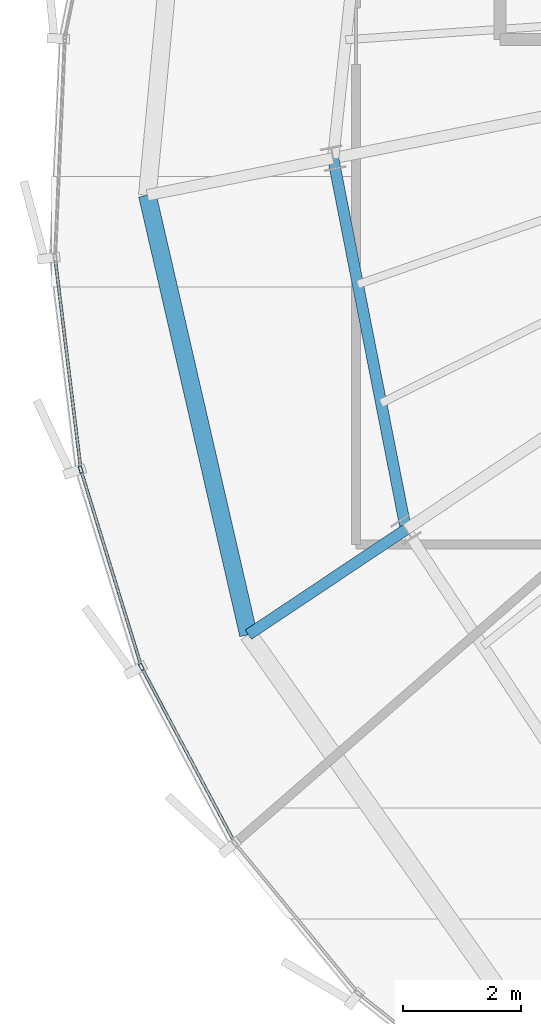
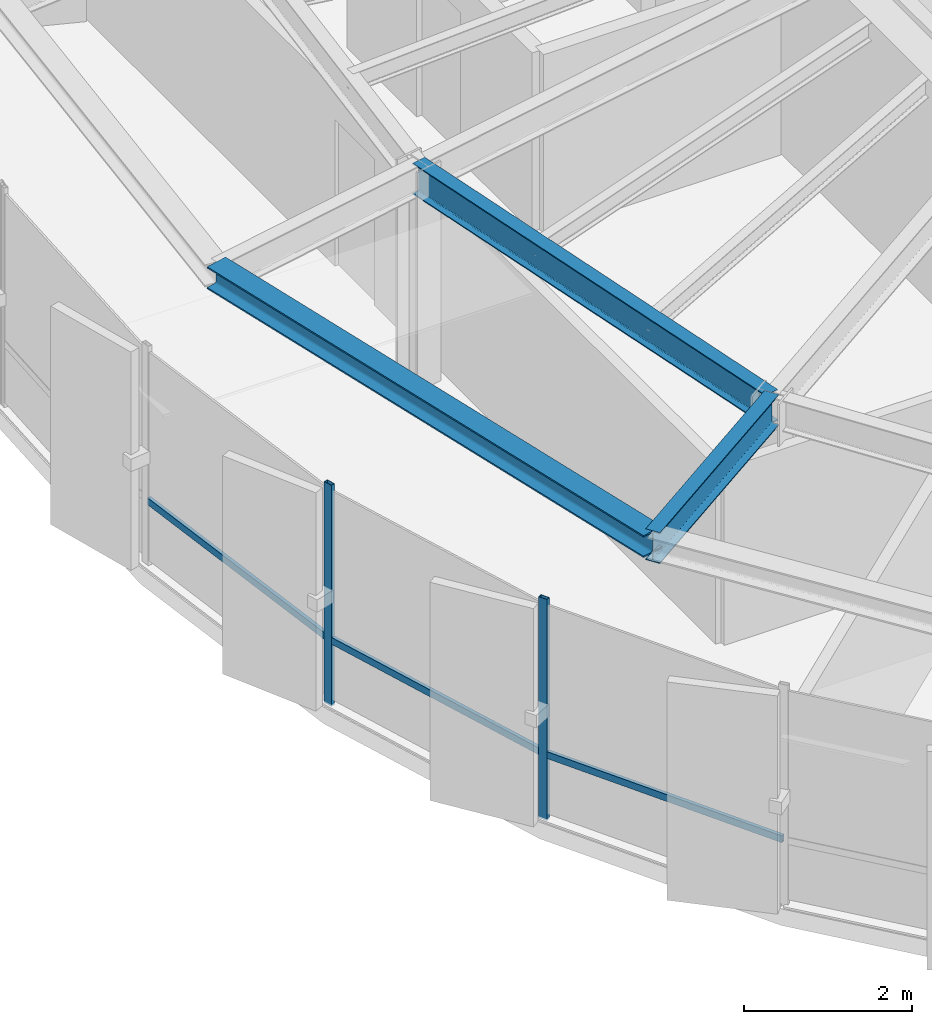
# One storey, part 4 of 33: 5 members, 3 beams, 1 element without a shape of its own.
"""IFC4 building model written with IfcOpenShell, lengths in metres."""

from ifc_helpers import new_model, si_unit, direction, frame, origin, origin_2d, place, context, subcontext, project, spatial, hollow_rectangle, i_section, extrude, source, transform, mapped, material, layer, layer_set, material_profile, profile_set, type_object, element, aggregate, save


model = new_model("IFC4")

# Units and contexts
model_context = context("Model", 3, precision=1e-05, world=origin(), true_north=direction((0.0, 1.0)))
body_context = subcontext(model_context, "Body", "Model", "MODEL_VIEW")
ifc_project = project(units=[si_unit("LENGTHUNIT", "METRE"), si_unit("AREAUNIT", "SQUARE_METRE"), si_unit("VOLUMEUNIT", "CUBIC_METRE"), si_unit("PLANEANGLEUNIT", "RADIAN"), si_unit("MASSUNIT", "GRAM", prefix="KILO"), si_unit("THERMODYNAMICTEMPERATUREUNIT", "KELVIN")], contexts=[model_context])

# Site, building, storey
site_placement = place(None, origin())
site = spatial("IfcSite", under=ifc_project, at=site_placement, CompositionType="ELEMENT")
building_placement = place(site_placement, origin())
building = spatial("IfcBuilding", under=site, at=building_placement, Name="Kethvar Cultural Tower", CompositionType="ELEMENT")
storey_placement = place(building_placement, frame((0.0, 0.0, 266.35009765625)))
storey = spatial("IfcBuildingStorey", under=building, at=storey_placement, Name="L70", CompositionType="ELEMENT", Elevation=266.35009765625)

# Beams
ifc_material_1 = material(Name="Steel S355J2", Category="steel")
ifc_material_profile_1 = material_profile(ifc_material_1, i_section(OverallWidth=0.18994140625, OverallDepth=0.449951171875, WebThickness=0.009521484375, FlangeThickness=0.0146484375, FilletRadius=0.02099609375, at=origin_2d()), Name="Steel S355J2 — IPE450")
ifc_profile_set_1 = profile_set([ifc_material_profile_1], Name="Steel S355J2 — IPE450")
beam_type_1 = type_object("IfcBeamType", Name="BM-IPE450", PredefinedType="BEAM", material=ifc_profile_set_1)
shared_shape_1 = source(origin(), body_context, "Body", "SweptSolid", [
    extrude(i_section(OverallWidth=0.18994140625, OverallDepth=0.449951171875, WebThickness=0.009521484375, FlangeThickness=0.0146484375, FilletRadius=0.02099609375, at=origin_2d()), origin(), (0.0, 0.0, 1.0), 3.199951171875),
])
beam_1_placement = place(storey_placement, frame((32.912841796875, 18.52099609375, 2.98291015625), z_axis=(-0.831462943996, -0.555580212716, 0.0), x_axis=(0.555580212716, -0.831462943996, 0.0)))
element("IfcBeam", 1, at=beam_1_placement, inside=storey, type_object=beam_type_1, Name="L70 Perimeter Cantilever Beam RC-10", PredefinedType="BEAM", context=body_context, shape_type="MappedRepresentation", body=[
    mapped(shared_shape_1, transform((0.0, 0.0, 0.0), scale=1.0)),
])
shared_shape_2 = source(origin(), body_context, "Body", "SweptSolid", [
    extrude(i_section(OverallWidth=0.18994140625, OverallDepth=0.449951171875, WebThickness=0.009521484375, FlangeThickness=0.0146484375, FilletRadius=0.02099609375, at=origin_2d()), origin(), (0.0, 0.0, 1.0), 6.391357421875),
])
beam_2_placement = place(storey_placement, frame((31.68310546875, 24.79296875, 2.98291015625), z_axis=(0.192405084368, -0.981315588131, 0.0), x_axis=(0.981315588131, 0.192405084368, 0.0)))
element("IfcBeam", 2, at=beam_2_placement, inside=storey, type_object=beam_type_1, Name="L70 Column Ring Tie Beam CR-09", PredefinedType="BEAM", context=body_context, shape_type="MappedRepresentation", body=[
    mapped(shared_shape_2, transform((0.0, 0.0, 0.0), scale=1.0)),
])
ifc_material_profile_2 = material_profile(ifc_material_1, i_section(OverallWidth=0.300048828125, OverallDepth=0.320068359375, WebThickness=0.011474609375, FlangeThickness=0.0205078125, FilletRadius=0.027099609375, at=origin_2d()), Name="Steel S355J2 — HEB320")
ifc_profile_set_2 = profile_set([ifc_material_profile_2], Name="Steel S355J2 — HEB320")
beam_type_2 = type_object("IfcBeamType", Name="BM-SP320", PredefinedType="SPANDREL", material=ifc_profile_set_2)
shared_shape_3 = source(origin(), body_context, "Body", "SweptSolid", [
    extrude(i_section(OverallWidth=0.300048828125, OverallDepth=0.320068359375, WebThickness=0.011474609375, FlangeThickness=0.0205078125, FilletRadius=0.027099609375, at=origin_2d()), origin(), (0.0, 0.0, 1.0), 7.619384765625),
])
beam_3_placement = place(storey_placement, frame((28.54443359375, 24.168701171875, 3.0478515625), z_axis=(0.224133998424, -0.974558336248, 0.0), x_axis=(0.974558336248, 0.224133998424, 0.0)))
element("IfcBeam", 3, at=beam_3_placement, inside=storey, type_object=beam_type_2, Name="L70 Perimeter Spandrel Beam SP-09", PredefinedType="SPANDREL", context=body_context, shape_type="MappedRepresentation", body=[
    mapped(shared_shape_3, transform((0.0, 0.0, 0.0), scale=1.0)),
])

# Curtain wall, members
ifc_material_2 = material(Name="Aluminium 6063-T6", Category="aluminium")
ifc_layer = layer(ifc_material_2, 0.179931640625, Name="Aluminium 6063-T6", Category="aluminium")
ifc_layer_set = layer_set([ifc_layer], Name="Aluminium 6063-T6 (180 mm)")
curtain_wall_type = type_object("IfcCurtainWallType", Name="CW-SYS-05-Z56", PredefinedType="NOTDEFINED", material=ifc_layer_set)
curtain_wall_placement = place(storey_placement, origin())
curtain_wall = element("IfcCurtainWall", 4, at=curtain_wall_placement, inside=storey, type_object=curtain_wall_type, Name="L70 Curtain Wall Run 03", PredefinedType="NOTDEFINED")
ifc_material_profile_3 = material_profile(ifc_material_2, hollow_rectangle(XDim=0.054931640625, YDim=0.1201171875, WallThickness=0.00390625, at=origin_2d()), Name="Aluminium 6063-T6 — RHS120x55x4")
ifc_profile_set_3 = profile_set([ifc_material_profile_3], Name="Aluminium 6063-T6 — RHS120x55x4")
member_type_1 = type_object("IfcMemberType", Name="CW-SYS-05-Z56-MUL", PredefinedType="MULLION", material=ifc_profile_set_3)
shared_shape_4 = source(origin(), body_context, "Body", "SweptSolid", [
    extrude(hollow_rectangle(XDim=0.054931640625, YDim=0.1201171875, WallThickness=0.00390625, at=origin_2d()), origin(), (0.0, 0.0, 1.0), 3.2099609375),
])
member_1_placement = place(storey_placement, frame((27.419189453125, 19.53125, 0.0), z_axis=(0.0, 0.0, 1.0), x_axis=(0.955808409404, 0.293990279624, 0.0)))
member_1 = element("IfcMember", 5, at=member_1_placement, type_object=member_type_1, Name="CW-L70-R03 Mullion 3", PredefinedType="MULLION", context=body_context, shape_type="MappedRepresentation", body=[
    mapped(shared_shape_4, transform((0.0, 0.0, 0.0), scale=1.0)),
])
member_2_placement = place(storey_placement, frame((28.4423828125, 16.198486328125, 0.0), z_axis=(0.0, 0.0, 1.0), x_axis=(0.883201472171, 0.468993773472, 0.0)))
member_2 = element("IfcMember", 6, at=member_2_placement, type_object=member_type_1, Name="CW-L70-R03 Mullion 4", PredefinedType="MULLION", context=body_context, shape_type="MappedRepresentation", body=[
    mapped(shared_shape_4, transform((0.0, 0.0, 0.0), scale=1.0)),
])
ifc_material_profile_4 = material_profile(ifc_material_2, hollow_rectangle(XDim=0.050048828125, YDim=0.10009765625, WallThickness=0.00390625, at=origin_2d()), Name="Aluminium 6063-T6 — RHS100x50x4")
ifc_profile_set_4 = profile_set([ifc_material_profile_4], Name="Aluminium 6063-T6 — RHS100x50x4")
member_type_2 = type_object("IfcMemberType", Name="CW-SYS-05-Z56-TRN", PredefinedType="USERDEFINED", material=ifc_profile_set_4)
shared_shape_5 = source(origin(), body_context, "Body", "SweptSolid", [
    extrude(hollow_rectangle(XDim=0.050048828125, YDim=0.10009765625, WallThickness=0.00390625, at=origin_2d()), origin(), (0.0, 0.0, 1.0), 3.5498046875),
])
member_3_placement = place(storey_placement, frame((26.989013671875, 23.076904296875, 0.949951171875), z_axis=(0.120910570532, -0.992663404147, 0.0), x_axis=(0.992663404147, 0.120910570532, 0.0)))
member_3 = element("IfcMember", 7, at=member_3_placement, type_object=member_type_2, Name="CW-L70-R03 Transom 2", ObjectType="TRANSOM", PredefinedType="USERDEFINED", context=body_context, shape_type="MappedRepresentation", body=[
    mapped(shared_shape_5, transform((0.0, 0.0, 0.0), scale=1.0)),
])
shared_shape_6 = source(origin(), body_context, "Body", "SweptSolid", [
    extrude(hollow_rectangle(XDim=0.050048828125, YDim=0.10009765625, WallThickness=0.00390625, at=origin_2d()), origin(), (0.0, 0.0, 1.0), 3.426025390625),
])
member_4_placement = place(storey_placement, frame((27.430908203125, 19.493408203125, 0.949951171875), z_axis=(0.293950643044, -0.955820600036, 0.0), x_axis=(0.955820600036, 0.293950643044, 0.0)))
member_4 = element("IfcMember", 8, at=member_4_placement, type_object=member_type_2, Name="CW-L70-R03 Transom 3", ObjectType="TRANSOM", PredefinedType="USERDEFINED", context=body_context, shape_type="MappedRepresentation", body=[
    mapped(shared_shape_6, transform((0.0, 0.0, 0.0), scale=1.0)),
])
shared_shape_7 = source(origin(), body_context, "Body", "SweptSolid", [
    extrude(hollow_rectangle(XDim=0.050048828125, YDim=0.10009765625, WallThickness=0.00390625, at=origin_2d()), origin(), (0.0, 0.0, 1.0), 3.313232421875),
])
member_5_placement = place(storey_placement, frame((28.4609375, 16.16357421875, 0.949951171875), z_axis=(0.469007960757, -0.883193938355, 0.0), x_axis=(0.883193938355, 0.469007960757, 0.0)))
member_5 = element("IfcMember", 9, at=member_5_placement, type_object=member_type_2, Name="CW-L70-R03 Transom 4", ObjectType="TRANSOM", PredefinedType="USERDEFINED", context=body_context, shape_type="MappedRepresentation", body=[
    mapped(shared_shape_7, transform((0.0, 0.0, 0.0), scale=1.0)),
])
aggregate(curtain_wall, [member_1, member_2, member_3, member_4, member_5])

save(model, "model.ifc")
